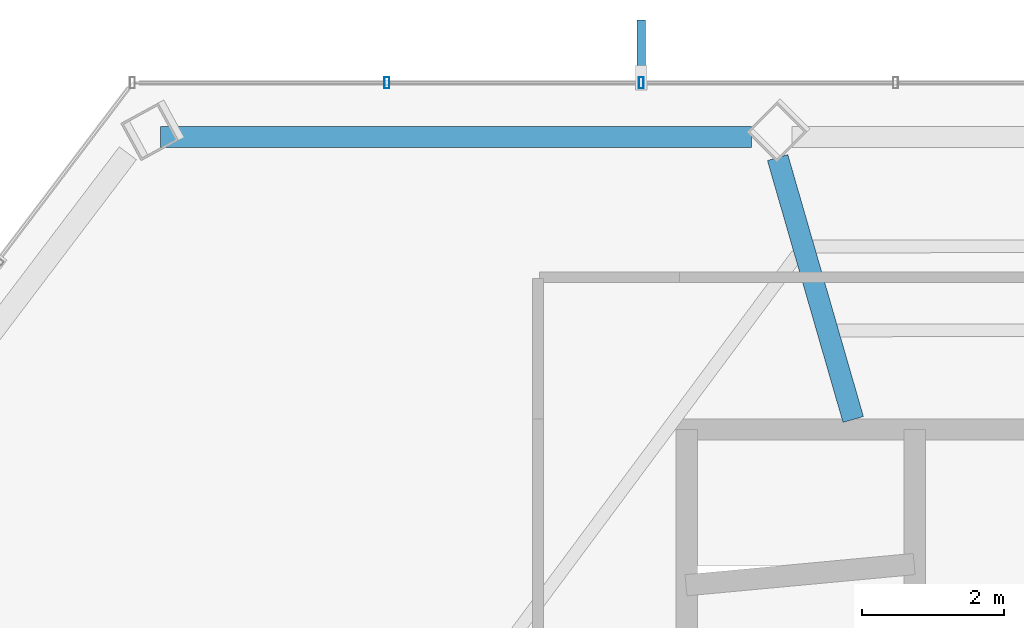
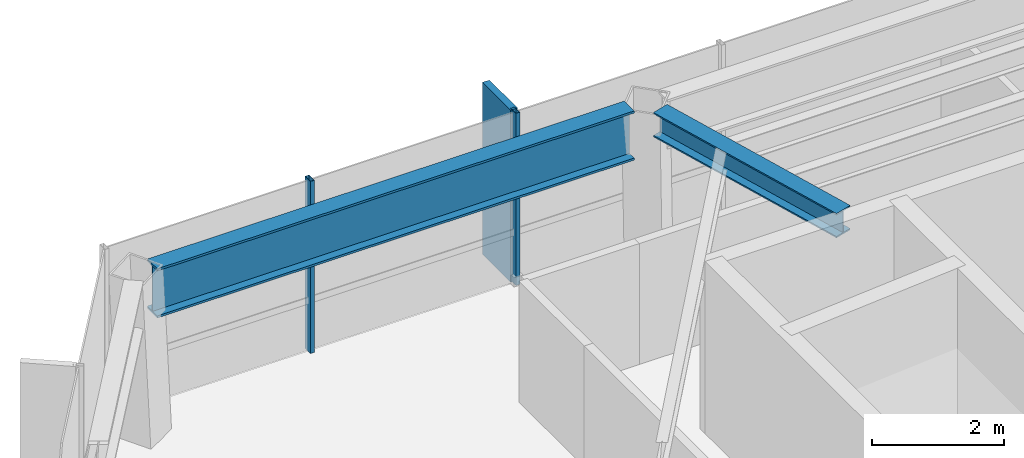
# One storey, part 13 of 27: 3 members, 2 beams, 1 element without a shape of its own.
"""IFC4 building model written with IfcOpenShell, lengths in metres."""

import ifcopenshell
import ifcopenshell.guid

model = None  # the IFC model being written
_history = None  # IfcOwnerHistory: only IFC2X3 demands one
_inside = {}  # id of a spatial element -> (the spatial element, [elements in it])
_under = {}  # id of a project, library or spatial element -> (it, [spatial elements below it])
_declared = {}  # id of a project -> (the project, [libraries it declares])
_typed = {}  # id of a type object -> (the type object, [elements of that type])
_made_of = {}  # id of a material, layer set ... -> (it, [elements and type objects made of it])


def new_model(schema):
    """Start an empty IFC model of exactly this schema.

    Asked for "IFC4X3", IfcOpenShell would pick the latest addendum, in which some entities
    have other attributes; the version numbers below select the first issue.
    IFC2X3 requires an IfcOwnerHistory on every rooted entity: one is made here for all.
    """
    global model, _history
    if schema == "IFC4X3":
        model = ifcopenshell.file(schema_version=(4, 3, 0, 0))
    else:
        model = ifcopenshell.file(schema=schema)
    _inside.clear()
    _under.clear()
    _declared.clear()
    _typed.clear()
    _made_of.clear()
    _history = None
    if model.schema == "IFC2X3":
        org = make("IfcOrganization", Name="unknown")
        user = make(
            "IfcPersonAndOrganization",
            ThePerson=make("IfcPerson", FamilyName="unknown"),
            TheOrganization=org,
        )
        app = make(
            "IfcApplication",
            ApplicationDeveloper=org,
            Version="unknown",
            ApplicationFullName="unknown",
            ApplicationIdentifier="unknown",
        )
        _history = make(
            "IfcOwnerHistory",
            OwningUser=user,
            OwningApplication=app,
            ChangeAction="ADDED",
            CreationDate=0,
        )
    return model


def make(cls, **values):
    """One entity of the class cls with the attributes given. An attribute that is None is left unset."""
    return model.create_entity(
        cls, **{name: value for name, value in values.items() if value is not None}
    )


def rooted(cls, **values):
    """An entity with a GlobalId (a new one), such as an element, a storey or a relation."""
    return make(cls, GlobalId=ifcopenshell.guid.new(), OwnerHistory=_history, **values)


def si_unit(unit_type, name, prefix=None):
    """IfcSIUnit, for example si_unit("LENGTHUNIT", "METRE", prefix="MILLI")."""
    return make("IfcSIUnit", UnitType=unit_type, Prefix=prefix, Name=name)


def assignment(units):
    """IfcUnitAssignment: the units of a project."""
    return None if units is None else make("IfcUnitAssignment", Units=units)


def point(xyz):
    """IfcCartesianPoint."""
    return None if xyz is None else make("IfcCartesianPoint", Coordinates=xyz)


def direction(xyz):
    """IfcDirection."""
    return None if xyz is None else make("IfcDirection", DirectionRatios=xyz)


def frame(location, z_axis=None, x_axis=None):
    """IfcAxis2Placement3D, a coordinate frame: its origin and axes. An axis left out is left unset."""
    return make(
        "IfcAxis2Placement3D",
        Location=point(location),
        Axis=direction(z_axis),
        RefDirection=direction(x_axis),
    )


def frame_2d(location, x_axis=None):
    """IfcAxis2Placement2D, a coordinate frame in the plane: its origin and x axis."""
    return make(
        "IfcAxis2Placement2D", Location=point(location), RefDirection=direction(x_axis)
    )


def origin():
    """The frame at (0, 0, 0) with its axes left unset."""
    return frame((0.0, 0.0, 0.0))


def origin_2d():
    """The frame at (0, 0) in the plane with its x axis left unset."""
    return frame_2d((0.0, 0.0))


def place(relative_to, where):
    """IfcLocalPlacement: puts the frame where relative to a parent placement (None: the world)."""
    return make(
        "IfcLocalPlacement", PlacementRelTo=relative_to, RelativePlacement=where
    )


def context(
    kind, dimensions, precision=None, world=None, true_north=None, identifier=None
):
    """IfcGeometricRepresentationContext, for example the 3D "Model" context."""
    return make(
        "IfcGeometricRepresentationContext",
        ContextIdentifier=identifier,
        ContextType=kind,
        CoordinateSpaceDimension=dimensions,
        Precision=precision,
        WorldCoordinateSystem=world,
        TrueNorth=true_north,
    )


def subcontext(parent, identifier, kind, view, scale=None):
    """IfcGeometricRepresentationSubContext, for example "Body" below "Model"."""
    return make(
        "IfcGeometricRepresentationSubContext",
        ContextIdentifier=identifier,
        ContextType=kind,
        ParentContext=parent,
        TargetScale=scale,
        TargetView=view,
    )


def project(units=None, contexts=None):
    """IfcProject with its units and contexts."""
    return rooted(
        "IfcProject",
        Name="project",
        RepresentationContexts=contexts,
        UnitsInContext=assignment(units),
    )


def spatial(cls, under=None, at=None, **own):
    """A site, building, storey or space (cls), placed at a placement, below another one or the project."""
    s = rooted(cls, ObjectPlacement=at, **own)
    if under is not None:
        _under.setdefault(under.id(), (under, []))[1].append(s)
    return s


def profile(cls, at=None, kind="AREA", **sizes):
    """A parametric profile (cls). Its sizes go by their IFC names, for example OverallWidth=200.0."""
    return make(cls, ProfileType=kind, Position=at, **sizes)


def rectangle(**sizes):
    """IfcRectangleProfileDef."""
    return profile("IfcRectangleProfileDef", **sizes)


def hollow_rectangle(**sizes):
    """IfcRectangleHollowProfileDef."""
    return profile("IfcRectangleHollowProfileDef", **sizes)


def i_section(**sizes):
    """IfcIShapeProfileDef."""
    return profile("IfcIShapeProfileDef", **sizes)


def extrude(swept, where, along, depth):
    """IfcExtrudedAreaSolid: the profile swept, set in the frame where, extruded along a direction by depth."""
    return make(
        "IfcExtrudedAreaSolid",
        SweptArea=swept,
        Position=where,
        ExtrudedDirection=direction(along),
        Depth=depth,
    )


def shape(context_of_items, identifier, shape_type, items):
    """IfcShapeRepresentation: the items that make up one representation, for example the "Body"."""
    return make(
        "IfcShapeRepresentation",
        ContextOfItems=context_of_items,
        RepresentationIdentifier=identifier,
        RepresentationType=shape_type,
        Items=items,
    )


def material(Name=None, Category=None):
    """IfcMaterial."""
    return make("IfcMaterial", Name=Name, Category=Category)


def layer(
    of_material, thickness, ventilated=None, Name=None, Category=None, Priority=None
):
    """IfcMaterialLayer: one layer of a wall or slab, of a material (None: an air gap)."""
    return make(
        "IfcMaterialLayer",
        Material=of_material,
        LayerThickness=thickness,
        IsVentilated=ventilated,
        Name=Name,
        Category=Category,
        Priority=Priority,
    )


def layer_set(layers, Name=None):
    """IfcMaterialLayerSet."""
    return make("IfcMaterialLayerSet", MaterialLayers=layers, LayerSetName=Name)


def material_profile(
    of_material, cross_section, Name=None, Category=None, Priority=None
):
    """IfcMaterialProfile: a cross section and its material."""
    return make(
        "IfcMaterialProfile",
        Name=Name,
        Material=of_material,
        Profile=cross_section,
        Priority=Priority,
        Category=Category,
    )


def profile_set(profiles, Name=None, composite=None):
    """IfcMaterialProfileSet."""
    return make(
        "IfcMaterialProfileSet",
        Name=Name,
        MaterialProfiles=profiles,
        CompositeProfile=composite,
    )


def made_of(thing, what):
    """Note that an element or type object is made of a material, layer set ...; save() writes the relation."""
    if what is not None:
        _made_of.setdefault(what.id(), (what, []))[1].append(thing)
    return thing


def type_object(cls, material=None, **own):
    """A type object (cls), such as IfcWallType, which elements share."""
    return made_of(rooted(cls, **own), material)


def element(
    cls,
    number,
    at=None,
    inside=None,
    cuts=None,
    type_object=None,
    material=None,
    context=None,
    identifier="Body",
    shape_type=None,
    held_by="IfcProductDefinitionShape",
    body=None,
    shapes=None,
    **own,
):
    """One element of the class cls, such as IfcWall. Its Tag is "e" and its number.

    at: its placement. inside: the storey or other place that contains it. cuts: it is an
    opening in that element (IfcRelVoidsElement). A single representation is given by context,
    identifier, shape_type and body (its items); several are given by shapes. held_by: the class
    of the entity that holds the representations. save() writes the other relations.
    """
    e = rooted(cls, Tag="e%d" % number, ObjectPlacement=at, **own)
    if body is not None:
        shapes = [shape(context, identifier, shape_type, body)]
    if shapes is not None:
        e.Representation = make(held_by, Representations=shapes)
    if inside is not None:
        _inside.setdefault(inside.id(), (inside, []))[1].append(e)
    if cuts is not None:
        rooted(
            "IfcRelVoidsElement", RelatingBuildingElement=cuts, RelatedOpeningElement=e
        )
    if type_object is not None:
        _typed.setdefault(type_object.id(), (type_object, []))[1].append(e)
    return made_of(e, material)


def aggregate(whole, parts):
    """IfcRelAggregates: a whole, such as a stair, and the parts it consists of."""
    return rooted("IfcRelAggregates", RelatingObject=whole, RelatedObjects=parts)


def save(model, path):
    """Write the relations noted so far, then the file.

    IfcRelAggregates (storeys below a building ...), IfcRelContainedInSpatialStructure (elements
    in a storey), IfcRelDefinesByType, IfcRelAssociatesMaterial and IfcRelDeclares: one each for
    every whole, place, type object, material and project.
    """
    for whole, parts in _under.values():
        aggregate(whole, parts)
    for where, things in _inside.values():
        rooted(
            "IfcRelContainedInSpatialStructure",
            RelatedElements=things,
            RelatingStructure=where,
        )
    for kind, things in _typed.values():
        rooted("IfcRelDefinesByType", RelatedObjects=things, RelatingType=kind)
    for what, things in _made_of.values():
        rooted("IfcRelAssociatesMaterial", RelatedObjects=things, RelatingMaterial=what)
    for by, libraries in _declared.values():
        rooted("IfcRelDeclares", RelatingContext=by, RelatedDefinitions=libraries)
    model.write(path)


model = new_model("IFC4")

# Units and contexts
model_context = context("Model", 3, precision=1e-05, world=origin(), true_north=direction((0.0, 1.0)))
body_context = subcontext(model_context, "Body", "Model", "MODEL_VIEW")
ifc_project = project(units=[si_unit("LENGTHUNIT", "METRE"), si_unit("AREAUNIT", "SQUARE_METRE"), si_unit("VOLUMEUNIT", "CUBIC_METRE"), si_unit("PLANEANGLEUNIT", "RADIAN"), si_unit("MASSUNIT", "GRAM", prefix="KILO")], contexts=[model_context])

# Site, building, storey
site_placement = place(None, origin())
site = spatial("IfcSite", under=ifc_project, at=site_placement, CompositionType="ELEMENT")
building_placement = place(site_placement, origin())
building = spatial("IfcBuilding", under=site, at=building_placement, Name="Zarrinselat Tower", CompositionType="ELEMENT")
storey_placement = place(building_placement, frame((0.0, 0.0, 225.760009765625)))
storey = spatial("IfcBuildingStorey", under=building, at=storey_placement, Name="L56", CompositionType="ELEMENT", Elevation=225.760009765625)

# Beams
ifc_material_1 = material(Name="Steel S355J2", Category="steel")
ifc_material_profile_1 = material_profile(ifc_material_1, i_section(OverallWidth=0.300048828125, OverallDepth=0.449951171875, WebThickness=0.013916015625, FlangeThickness=0.02587890625, at=origin_2d()), Name="HEB 450")
ifc_profile_set_1 = profile_set([ifc_material_profile_1], Name="Steel S355J2")
beam_type_1 = type_object("IfcBeamType", Name="BM-HEB450", PredefinedType="BEAM", material=ifc_profile_set_1)
beam_1_placement = place(storey_placement, frame((29.9326171875, 47.237548828125, 2.955078125), z_axis=(0.277350981554, -0.960768667803, 0.0), x_axis=(0.960768667803, 0.277350981554, 0.0)))
element("IfcBeam", 1, at=beam_1_placement, inside=storey, type_object=beam_type_1, Name="L56 Radial Primary Girder RG04", PredefinedType="BEAM", context=body_context, shape_type="SweptSolid", body=[
    extrude(i_section(OverallWidth=0.300048828125, OverallDepth=0.449951171875, WebThickness=0.013916015625, FlangeThickness=0.02587890625, at=origin_2d()), origin(), (0.0, 0.0, 1.0), 3.848388671875),
])
ifc_material_2 = material(Name="Steel S460M", Category="steel")
ifc_material_profile_2 = material_profile(ifc_material_2, i_section(OverallWidth=0.302001953125, OverallDepth=0.909912109375, WebThickness=0.02099609375, FlangeThickness=0.0400390625, at=origin_2d()), Name="HEM 900")
ifc_profile_set_2 = profile_set([ifc_material_profile_2], Name="Steel S460M")
beam_type_2 = type_object("IfcBeamType", Name="BM-HEM900", PredefinedType="BEAM", material=ifc_profile_set_2)
beam_2_placement = place(storey_placement, frame((21.222412109375, 47.52783203125, 2.72509765625), z_axis=(1.0, 0.0, 0.0), x_axis=(0.0, 1.0, 0.0)))
element("IfcBeam", 2, at=beam_2_placement, inside=storey, type_object=beam_type_2, Name="L56 Perimeter Spandrel Girder SP04", PredefinedType="BEAM", context=body_context, shape_type="SweptSolid", body=[
    extrude(i_section(OverallWidth=0.302001953125, OverallDepth=0.909912109375, WebThickness=0.02099609375, FlangeThickness=0.0400390625, at=origin_2d()), origin(), (0.0, 0.0, 1.0), 8.33837890625),
])

# Curtain wall, members
ifc_material_3 = material(Name="Extruded Aluminium Alloy EN AW-6063 T6", Category="aluminium")
ifc_layer = layer(ifc_material_3, 0.169921875)
ifc_layer_set = layer_set([ifc_layer], Name="Extruded Aluminium Alloy EN AW-6063 T6")
curtain_wall_type = type_object("IfcCurtainWallType", Name="CWS-RES", PredefinedType="NOTDEFINED", material=ifc_layer_set)
curtain_wall_placement = place(storey_placement, origin())
curtain_wall = element("IfcCurtainWall", 3, at=curtain_wall_placement, inside=storey, type_object=curtain_wall_type, Name="L56 Unitised Curtain Wall CW-L56-E01", PredefinedType="NOTDEFINED")
ifc_material_4 = material(Name="Extruded Aluminium Alloy EN AW-6063 T6", Category="aluminium")
ifc_material_profile_3 = material_profile(ifc_material_4, hollow_rectangle(XDim=0.070068359375, YDim=0.159912109375, WallThickness=0.00390625, at=origin_2d()), Name="RHS 160x70x4")
ifc_profile_set_3 = profile_set([ifc_material_profile_3], Name="Extruded Aluminium Alloy EN AW-6063 T6")
member_type_1 = type_object("IfcMemberType", Name="MEM-CW-MUL2", PredefinedType="MULLION", material=ifc_profile_set_3)
member_1_placement = place(storey_placement, frame((28.00830078125, 48.29443359375, 0.0), z_axis=(0.0, 0.0, 1.0), x_axis=(-1.0, 0.0, 0.0)))
member_1 = element("IfcMember", 4, at=member_1_placement, type_object=member_type_1, Name="CW-L56-E01 Mullion 9", PredefinedType="MULLION", context=body_context, shape_type="SweptSolid", body=[
    extrude(hollow_rectangle(XDim=0.070068359375, YDim=0.159912109375, WallThickness=0.00390625, at=origin_2d()), origin(), (0.0, 0.0, 1.0), 3.179931640625),
])
member_2_placement = place(storey_placement, frame((24.4169921875, 48.29443359375, 0.0), z_axis=(0.0, 0.0, 1.0), x_axis=(-1.0, 0.0, 0.0)))
member_2 = element("IfcMember", 5, at=member_2_placement, type_object=member_type_1, Name="CW-L56-E01 Mullion 10", PredefinedType="MULLION", context=body_context, shape_type="SweptSolid", body=[
    extrude(hollow_rectangle(XDim=0.070068359375, YDim=0.159912109375, WallThickness=0.00390625, at=origin_2d()), origin(), (0.0, 0.0, 1.0), 3.179931640625),
])
ifc_material_5 = material(Name="Honed Cream Travertine Stone", Category="masonry")
ifc_material_profile_4 = material_profile(ifc_material_5, rectangle(XDim=0.1201171875, YDim=0.85009765625, at=origin_2d()), Name="FIN 850x120")
ifc_profile_set_4 = profile_set([ifc_material_profile_4], Name="Honed Cream Travertine Stone")
member_type_2 = type_object("IfcMemberType", Name="MEM-STONE-FIN", PredefinedType="USERDEFINED", material=ifc_profile_set_4)
member_3_placement = place(storey_placement, frame((28.00830078125, 48.75439453125, 0.0), z_axis=(0.0, 0.0, 1.0), x_axis=(1.0, 0.0, 0.0)))
member_3 = element("IfcMember", 6, at=member_3_placement, type_object=member_type_2, Name="L56 Stone Shading Fin CW-L56-E01-09", ObjectType="FIN", PredefinedType="USERDEFINED", context=body_context, shape_type="SweptSolid", body=[
    extrude(rectangle(XDim=0.1201171875, YDim=0.85009765625, at=origin_2d()), origin(), (0.0, 0.0, 1.0), 3.179931640625),
])
aggregate(curtain_wall, [member_1, member_3, member_2])

save(model, "model.ifc")
